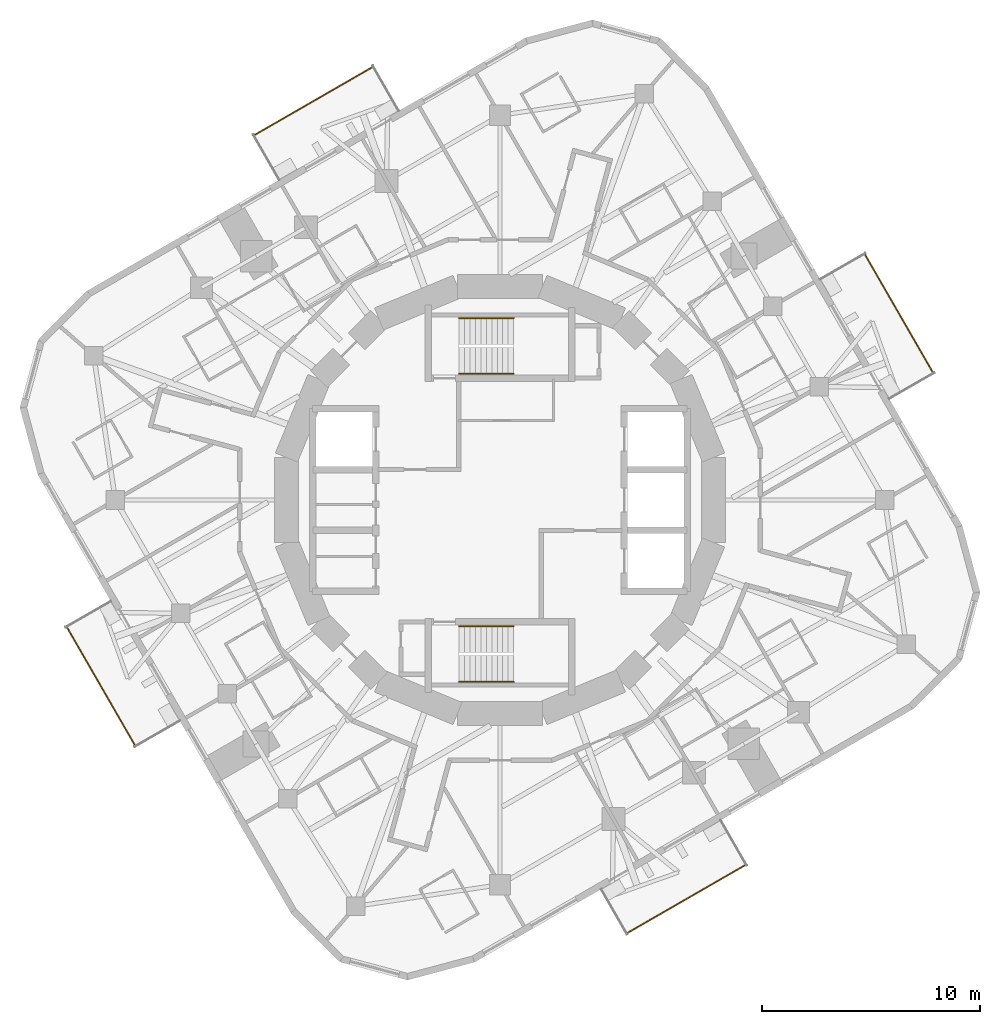
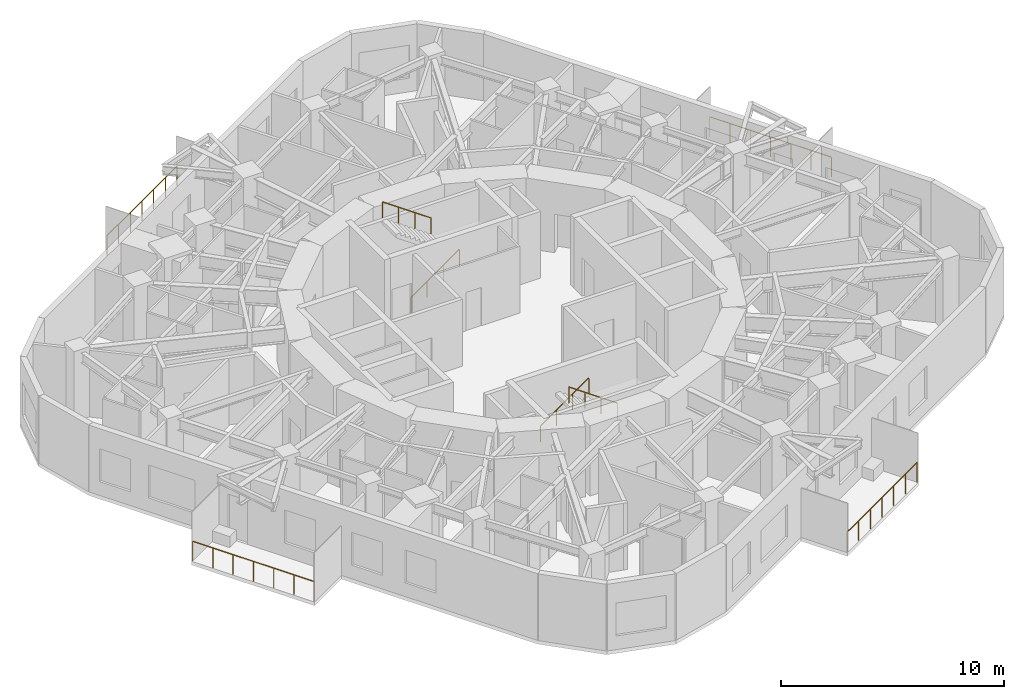
# One storey, part 10 of 11: 8 railings.
"""IFC4 building model written with IfcOpenShell, lengths in metres."""

from ifc_helpers import new_model, si_unit, direction, frame, origin, origin_2d, place, context, subcontext, project, spatial, circle, extrude, material, type_object, element, save


model = new_model("IFC4")

# Units and contexts
model_context = context("Model", 3, precision=1e-05, world=origin(), true_north=direction((0.0, 1.0)))
body_context = subcontext(model_context, "Body", "Model", "MODEL_VIEW")
ifc_project = project(units=[si_unit("LENGTHUNIT", "METRE"), si_unit("AREAUNIT", "SQUARE_METRE"), si_unit("VOLUMEUNIT", "CUBIC_METRE"), si_unit("PLANEANGLEUNIT", "RADIAN"), si_unit("MASSUNIT", "GRAM", prefix="KILO")], contexts=[model_context])

# Site, building, storey
site_placement = place(None, origin())
site = spatial("IfcSite", under=ifc_project, at=site_placement, CompositionType="ELEMENT")
building_placement = place(site_placement, origin())
building = spatial("IfcBuilding", under=site, at=building_placement, Name="Nakasero Lantern House", CompositionType="ELEMENT")
storey_placement = place(building_placement, frame((0.0, 0.0, 230.800048828125)))
storey = spatial("IfcBuildingStorey", under=building, at=storey_placement, Name="L56", CompositionType="ELEMENT", Elevation=230.800048828125)

# Railings
ifc_material_1 = material(Name="Aluminium 6063-T6", Category="aluminium")
railing_type_1 = type_object("IfcRailingType", Name="Balcony guard 1100", PredefinedType="BALUSTRADE", material=ifc_material_1)
railing_1_placement = place(storey_placement, frame((19.894775390625, 5.84130859375, 0.0)))
element("IfcRailing", 1, at=railing_1_placement, inside=storey, type_object=railing_type_1, Name="Balcony guard L56 BAL0", PredefinedType="BALUSTRADE", context=body_context, shape_type="SweptSolid", body=[
    extrude(circle(Radius=0.02392578125, at=origin_2d()), frame((0.0, 0.0, 1.076171875), z_axis=(-0.500007975732, 0.866020798945, 0.0), x_axis=(-0.866020798945, -0.500007975732, 0.0)), (0.0, 0.0, 1.0), 6.29150390625),
    extrude(circle(Radius=0.02099609375, at=origin_2d()), origin(), (0.0, 0.0, 1.0), 1.052001953125),
    extrude(circle(Radius=0.02099609375, at=origin_2d()), frame((-0.5244140625, 0.908203125, 0.0)), (0.0, 0.0, 1.0), 1.052001953125),
    extrude(circle(Radius=0.02099609375, at=origin_2d()), frame((-1.048583984375, 1.816162109375, 0.0)), (0.0, 0.0, 1.0), 1.052001953125),
    extrude(circle(Radius=0.02099609375, at=origin_2d()), frame((-1.57275390625, 2.72412109375, 0.0)), (0.0, 0.0, 1.0), 1.052001953125),
    extrude(circle(Radius=0.02099609375, at=origin_2d()), frame((-2.09716796875, 3.63232421875, 0.0)), (0.0, 0.0, 1.0), 1.052001953125),
    extrude(circle(Radius=0.02099609375, at=origin_2d()), frame((-2.62158203125, 4.54052734375, 0.0)), (0.0, 0.0, 1.0), 1.052001953125),
    extrude(circle(Radius=0.02099609375, at=origin_2d()), frame((-3.145751953125, 5.448486328125, 0.0)), (0.0, 0.0, 1.0), 1.052001953125),
])
railing_2_placement = place(storey_placement, frame((-5.84130859375, 19.894775390625, 0.0)))
element("IfcRailing", 2, at=railing_2_placement, inside=storey, type_object=railing_type_1, Name="Balcony guard L56 BAL1", PredefinedType="BALUSTRADE", context=body_context, shape_type="SweptSolid", body=[
    extrude(circle(Radius=0.02392578125, at=origin_2d()), frame((0.0, 0.0, 1.076171875), z_axis=(-0.866020798945, -0.500007975732, 0.0), x_axis=(0.500007975732, -0.866020798945, 0.0)), (0.0, 0.0, 1.0), 6.29150390625),
    extrude(circle(Radius=0.02099609375, at=origin_2d()), origin(), (0.0, 0.0, 1.0), 1.052001953125),
    extrude(circle(Radius=0.02099609375, at=origin_2d()), frame((-0.908203125, -0.5244140625, 0.0)), (0.0, 0.0, 1.0), 1.052001953125),
    extrude(circle(Radius=0.02099609375, at=origin_2d()), frame((-1.816162109375, -1.048583984375, 0.0)), (0.0, 0.0, 1.0), 1.052001953125),
    extrude(circle(Radius=0.02099609375, at=origin_2d()), frame((-2.72412109375, -1.57275390625, 0.0)), (0.0, 0.0, 1.0), 1.052001953125),
    extrude(circle(Radius=0.02099609375, at=origin_2d()), frame((-3.63232421875, -2.09716796875, 0.0)), (0.0, 0.0, 1.0), 1.052001953125),
    extrude(circle(Radius=0.02099609375, at=origin_2d()), frame((-4.54052734375, -2.62158203125, 0.0)), (0.0, 0.0, 1.0), 1.052001953125),
    extrude(circle(Radius=0.02099609375, at=origin_2d()), frame((-5.448486328125, -3.145751953125, 0.0)), (0.0, 0.0, 1.0), 1.052001953125),
])
railing_3_placement = place(storey_placement, frame((-19.894775390625, -5.84130859375, 0.0)))
element("IfcRailing", 3, at=railing_3_placement, inside=storey, type_object=railing_type_1, Name="Balcony guard L56 BAL2", PredefinedType="BALUSTRADE", context=body_context, shape_type="SweptSolid", body=[
    extrude(circle(Radius=0.02392578125, at=origin_2d()), frame((0.0, 0.0, 1.076171875), z_axis=(0.500007975732, -0.866020798945, 0.0), x_axis=(0.866020798945, 0.500007975732, 0.0)), (0.0, 0.0, 1.0), 6.29150390625),
    extrude(circle(Radius=0.02099609375, at=origin_2d()), origin(), (0.0, 0.0, 1.0), 1.052001953125),
    extrude(circle(Radius=0.02099609375, at=origin_2d()), frame((0.5244140625, -0.908203125, 0.0)), (0.0, 0.0, 1.0), 1.052001953125),
    extrude(circle(Radius=0.02099609375, at=origin_2d()), frame((1.048583984375, -1.816162109375, 0.0)), (0.0, 0.0, 1.0), 1.052001953125),
    extrude(circle(Radius=0.02099609375, at=origin_2d()), frame((1.57275390625, -2.72412109375, 0.0)), (0.0, 0.0, 1.0), 1.052001953125),
    extrude(circle(Radius=0.02099609375, at=origin_2d()), frame((2.09716796875, -3.63232421875, 0.0)), (0.0, 0.0, 1.0), 1.052001953125),
    extrude(circle(Radius=0.02099609375, at=origin_2d()), frame((2.62158203125, -4.54052734375, 0.0)), (0.0, 0.0, 1.0), 1.052001953125),
    extrude(circle(Radius=0.02099609375, at=origin_2d()), frame((3.145751953125, -5.448486328125, 0.0)), (0.0, 0.0, 1.0), 1.052001953125),
])
railing_4_placement = place(storey_placement, frame((5.84130859375, -19.894775390625, 0.0)))
element("IfcRailing", 4, at=railing_4_placement, inside=storey, type_object=railing_type_1, Name="Balcony guard L56 BAL3", PredefinedType="BALUSTRADE", context=body_context, shape_type="SweptSolid", body=[
    extrude(circle(Radius=0.02392578125, at=origin_2d()), frame((0.0, 0.0, 1.076171875), z_axis=(0.866020798945, 0.500007975732, 0.0), x_axis=(-0.500007975732, 0.866020798945, 0.0)), (0.0, 0.0, 1.0), 6.29150390625),
    extrude(circle(Radius=0.02099609375, at=origin_2d()), origin(), (0.0, 0.0, 1.0), 1.052001953125),
    extrude(circle(Radius=0.02099609375, at=origin_2d()), frame((0.908203125, 0.5244140625, 0.0)), (0.0, 0.0, 1.0), 1.052001953125),
    extrude(circle(Radius=0.02099609375, at=origin_2d()), frame((1.816162109375, 1.048583984375, 0.0)), (0.0, 0.0, 1.0), 1.052001953125),
    extrude(circle(Radius=0.02099609375, at=origin_2d()), frame((2.72412109375, 1.57275390625, 0.0)), (0.0, 0.0, 1.0), 1.052001953125),
    extrude(circle(Radius=0.02099609375, at=origin_2d()), frame((3.63232421875, 2.09716796875, 0.0)), (0.0, 0.0, 1.0), 1.052001953125),
    extrude(circle(Radius=0.02099609375, at=origin_2d()), frame((4.54052734375, 2.62158203125, 0.0)), (0.0, 0.0, 1.0), 1.052001953125),
    extrude(circle(Radius=0.02099609375, at=origin_2d()), frame((5.448486328125, 3.145751953125, 0.0)), (0.0, 0.0, 1.0), 1.052001953125),
])
ifc_material_2 = material(Name="Stainless steel 316", Category="steel")
railing_type_2 = type_object("IfcRailingType", Name="Stair handrail 900", PredefinedType="HANDRAIL", material=ifc_material_2)
railing_5_placement = place(storey_placement, frame((-1.875, 5.800048828125, 0.175048828125)))
element("IfcRailing", 5, at=railing_5_placement, inside=storey, type_object=railing_type_2, Name="Handrail ST1 L56 flight 1", PredefinedType="HANDRAIL", context=body_context, shape_type="SweptSolid", body=[
    extrude(circle(Radius=0.02392578125, at=origin_2d()), frame((0.0, 0.0, 0.8759765625), z_axis=(0.819231920519, 0.0, 0.573462344363), x_axis=(0.0, 1.0, 0.0)), (0.0, 0.0, 1.0), 3.0517578125),
    extrude(circle(Radius=0.02099609375, at=origin_2d()), origin(), (0.0, 0.0, 1.0), 0.851806640625),
    extrude(circle(Radius=0.02099609375, at=origin_2d()), frame((0.833251953125, 0.0, 0.583251953125)), (0.0, 0.0, 1.0), 0.851806640625),
    extrude(circle(Radius=0.02099609375, at=origin_2d()), frame((1.666748046875, 0.0, 1.166748046875)), (0.0, 0.0, 1.0), 0.851806640625),
    extrude(circle(Radius=0.02099609375, at=origin_2d()), frame((2.5, 0.0, 1.75)), (0.0, 0.0, 1.0), 0.851806640625),
])
railing_6_placement = place(storey_placement, frame((0.625, 8.35009765625, 2.099853515625)))
element("IfcRailing", 6, at=railing_6_placement, inside=storey, type_object=railing_type_2, Name="Handrail ST1 L56 flight 2", PredefinedType="HANDRAIL", context=body_context, shape_type="SweptSolid", body=[
    extrude(circle(Radius=0.02392578125, at=origin_2d()), frame((0.0, 0.0, 0.8759765625), z_axis=(-0.819231920519, 0.0, 0.573462344363), x_axis=(0.0, -1.0, 0.0)), (0.0, 0.0, 1.0), 3.0517578125),
    extrude(circle(Radius=0.02099609375, at=origin_2d()), origin(), (0.0, 0.0, 1.0), 0.851806640625),
    extrude(circle(Radius=0.02099609375, at=origin_2d()), frame((-0.833251953125, 0.0, 0.583251953125)), (0.0, 0.0, 1.0), 0.851806640625),
    extrude(circle(Radius=0.02099609375, at=origin_2d()), frame((-1.666748046875, 0.0, 1.166748046875)), (0.0, 0.0, 1.0), 0.851806640625),
    extrude(circle(Radius=0.02099609375, at=origin_2d()), frame((-2.5, 0.0, 1.75)), (0.0, 0.0, 1.0), 0.851806640625),
])
railing_7_placement = place(storey_placement, frame((-1.875, -5.800048828125, 0.175048828125)))
element("IfcRailing", 7, at=railing_7_placement, inside=storey, type_object=railing_type_2, Name="Handrail ST2 L56 flight 1", PredefinedType="HANDRAIL", context=body_context, shape_type="SweptSolid", body=[
    extrude(circle(Radius=0.02392578125, at=origin_2d()), frame((0.0, 0.0, 0.8759765625), z_axis=(0.819231920519, 0.0, 0.573462344363), x_axis=(0.0, 1.0, 0.0)), (0.0, 0.0, 1.0), 3.0517578125),
    extrude(circle(Radius=0.02099609375, at=origin_2d()), origin(), (0.0, 0.0, 1.0), 0.851806640625),
    extrude(circle(Radius=0.02099609375, at=origin_2d()), frame((0.833251953125, 0.0, 0.583251953125)), (0.0, 0.0, 1.0), 0.851806640625),
    extrude(circle(Radius=0.02099609375, at=origin_2d()), frame((1.666748046875, 0.0, 1.166748046875)), (0.0, 0.0, 1.0), 0.851806640625),
    extrude(circle(Radius=0.02099609375, at=origin_2d()), frame((2.5, 0.0, 1.75)), (0.0, 0.0, 1.0), 0.851806640625),
])
railing_8_placement = place(storey_placement, frame((0.625, -8.35009765625, 2.099853515625)))
element("IfcRailing", 8, at=railing_8_placement, inside=storey, type_object=railing_type_2, Name="Handrail ST2 L56 flight 2", PredefinedType="HANDRAIL", context=body_context, shape_type="SweptSolid", body=[
    extrude(circle(Radius=0.02392578125, at=origin_2d()), frame((0.0, 0.0, 0.8759765625), z_axis=(-0.819231920519, 0.0, 0.573462344363), x_axis=(0.0, -1.0, 0.0)), (0.0, 0.0, 1.0), 3.0517578125),
    extrude(circle(Radius=0.02099609375, at=origin_2d()), origin(), (0.0, 0.0, 1.0), 0.851806640625),
    extrude(circle(Radius=0.02099609375, at=origin_2d()), frame((-0.833251953125, 0.0, 0.583251953125)), (0.0, 0.0, 1.0), 0.851806640625),
    extrude(circle(Radius=0.02099609375, at=origin_2d()), frame((-1.666748046875, 0.0, 1.166748046875)), (0.0, 0.0, 1.0), 0.851806640625),
    extrude(circle(Radius=0.02099609375, at=origin_2d()), frame((-2.5, 0.0, 1.75)), (0.0, 0.0, 1.0), 0.851806640625),
])

save(model, "model.ifc")
